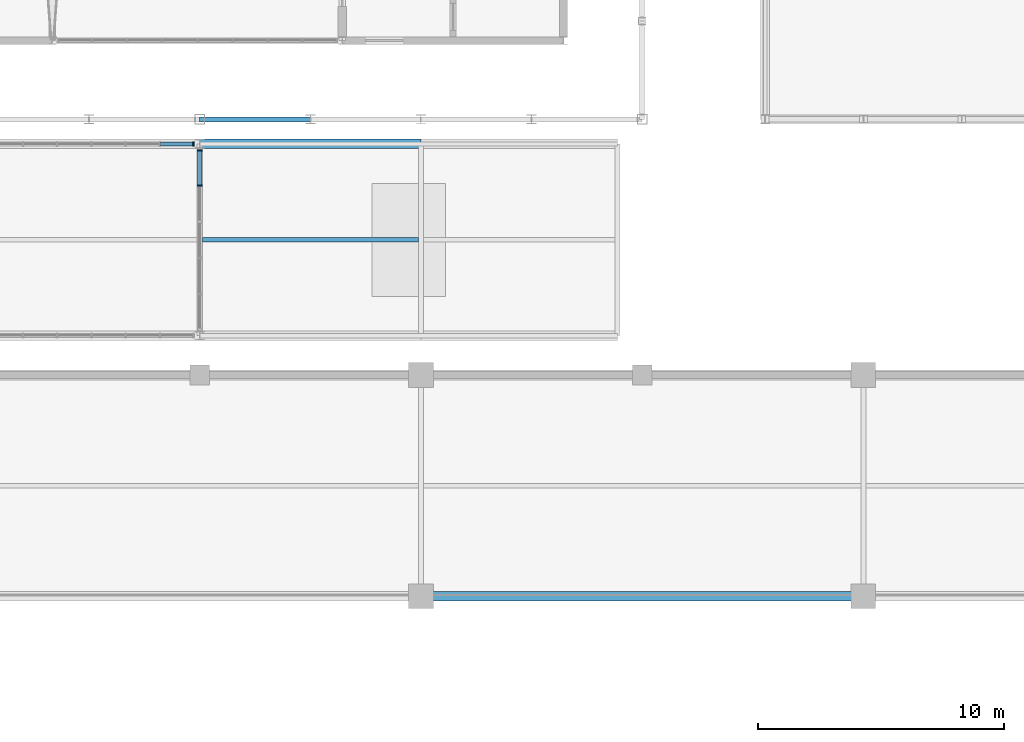
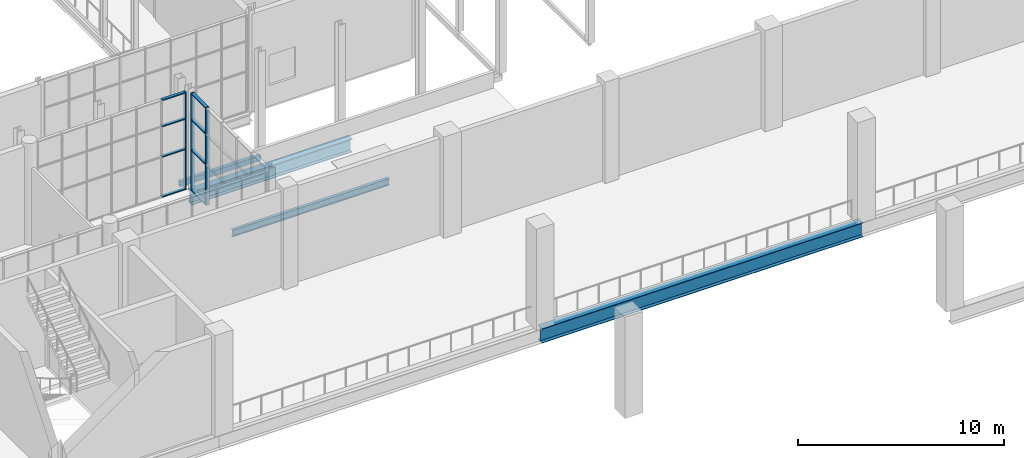
# One storey, part 68 of 159: 11 members, 4 beams, 2 elements without a shape of their own.
"""IFC4 building model written with IfcOpenShell, lengths in metres."""

from ifc_helpers import new_model, si_unit, direction, frame, origin, origin_2d, place, context, subcontext, project, spatial, rectangle, hollow_rectangle, i_section, extrude, material, layer, layer_set, material_profile, profile_set, type_object, element, aggregate, save


model = new_model("IFC4")

# Units and contexts
model_context = context("Model", 3, precision=1e-05, world=origin(), true_north=direction((0.0, 1.0)))
body_context = subcontext(model_context, "Body", "Model", "MODEL_VIEW")
ifc_project = project(units=[si_unit("LENGTHUNIT", "METRE"), si_unit("AREAUNIT", "SQUARE_METRE"), si_unit("VOLUMEUNIT", "CUBIC_METRE"), si_unit("PLANEANGLEUNIT", "RADIAN"), si_unit("MASSUNIT", "GRAM", prefix="KILO")], contexts=[model_context])

# Site, building, storey
site_placement = place(None, origin())
site = spatial("IfcSite", under=ifc_project, at=site_placement, CompositionType="ELEMENT")
building_placement = place(site_placement, origin())
building = spatial("IfcBuilding", under=site, at=building_placement, Name="Cazmaro Siding Exhibition Halls", CompositionType="ELEMENT")
storey_placement = place(building_placement, frame((0.0, 0.0, 6.0)))
storey = spatial("IfcBuildingStorey", under=building, at=storey_placement, Name="L01", CompositionType="ELEMENT", Elevation=6.0)

# Curtain wall, member
ifc_material_1 = material(Name="Anodized Bronze Aluminum and Solar-Control Low-E Glazing", Category="aluminium")
ifc_layer_1 = layer(ifc_material_1, 0.179931640625)
ifc_layer_set_1 = layer_set([ifc_layer_1], Name="Anodized Bronze Aluminum and Solar-Control Low-E Glazing")
curtain_wall_type_1 = type_object("IfcCurtainWallType", Name="CWS-01", PredefinedType="USERDEFINED", material=ifc_layer_set_1)
curtain_wall_1_placement = place(storey_placement, origin())
curtain_wall_1 = element("IfcCurtainWall", 1, at=curtain_wall_1_placement, inside=storey, type_object=curtain_wall_type_1, Name="Glazed Curtain Wall CWS-01 CW-203", ObjectType="GLAZED CURTAIN WALL", PredefinedType="USERDEFINED")
ifc_material_2 = material(Name="Anodized Bronze Extruded Aluminum", Category="aluminium")
ifc_material_profile_1 = material_profile(ifc_material_2, rectangle(XDim=0.179931640625, YDim=0.06005859375, at=origin_2d()), Name="CWM-01")
ifc_profile_set_1 = profile_set([ifc_material_profile_1], Name="Anodized Bronze Extruded Aluminum")
member_type_1 = type_object("IfcMemberType", Name="CWM-01", PredefinedType="MULLION", material=ifc_profile_set_1)
member_1_placement = place(storey_placement, frame((152.739990234375, 63.0, 0.0), z_axis=(0.0, 0.0, 1.0), x_axis=(0.0, -1.0, 0.0)))
member_1 = element("IfcMember", 2, at=member_1_placement, type_object=member_type_1, Name="CWS-01 mullion 1", PredefinedType="MULLION", context=body_context, shape_type="SweptSolid", body=[
    extrude(rectangle(XDim=0.179931640625, YDim=0.06005859375, at=origin_2d()), origin(), (0.0, 0.0, 1.0), 5.780029296875),
])

# Curtain wall, members
ifc_material_3 = material(Name="Anodized Bronze Aluminum and Solar-Control Low-E Glazing", Category="aluminium")
ifc_layer_2 = layer(ifc_material_3, 0.199951171875)
ifc_layer_set_2 = layer_set([ifc_layer_2], Name="Anodized Bronze Aluminum and Solar-Control Low-E Glazing")
curtain_wall_type_2 = type_object("IfcCurtainWallType", Name="CWS-02", PredefinedType="USERDEFINED", material=ifc_layer_set_2)
curtain_wall_2_placement = place(storey_placement, origin())
curtain_wall_2 = element("IfcCurtainWall", 3, at=curtain_wall_2_placement, inside=storey, type_object=curtain_wall_type_2, Name="Glazed Curtain Wall CWS-02 CW-208", ObjectType="GLAZED CURTAIN WALL", PredefinedType="USERDEFINED")
ifc_material_4 = material(Name="Anodized Bronze Extruded Aluminum", Category="aluminium")
ifc_material_profile_2 = material_profile(ifc_material_4, rectangle(XDim=0.199951171875, YDim=0.06494140625, at=origin_2d()), Name="CWM-02")
ifc_profile_set_2 = profile_set([ifc_material_profile_2], Name="Anodized Bronze Extruded Aluminum")
member_type_2 = type_object("IfcMemberType", Name="CWM-02", PredefinedType="MULLION", material=ifc_profile_set_2)
member_2_placement = place(storey_placement, frame((153.0, 61.3037109375, 0.0), z_axis=(0.0, 0.0, 1.0), x_axis=(-1.0, 0.0, 0.0)))
member_2 = element("IfcMember", 4, at=member_2_placement, type_object=member_type_2, Name="CWS-02 mullion 5", PredefinedType="MULLION", context=body_context, shape_type="SweptSolid", body=[
    extrude(rectangle(XDim=0.199951171875, YDim=0.06494140625, at=origin_2d()), origin(), (0.0, 0.0, 1.0), 5.780029296875),
])
member_3_placement = place(storey_placement, frame((153.0, 62.740478515625, 0.0), z_axis=(0.0, 0.0, 1.0), x_axis=(-1.0, 0.0, 0.0)))
member_3 = element("IfcMember", 5, at=member_3_placement, type_object=member_type_2, Name="CWS-02 mullion 6", PredefinedType="MULLION", context=body_context, shape_type="SweptSolid", body=[
    extrude(rectangle(XDim=0.199951171875, YDim=0.06494140625, at=origin_2d()), origin(), (0.0, 0.0, 1.0), 5.780029296875),
])

# Member
ifc_material_5 = material(Name="Anodized Bronze Extruded Aluminum", Category="aluminium")
ifc_material_profile_3 = material_profile(ifc_material_5, rectangle(XDim=0.159912109375, YDim=0.06005859375, at=origin_2d()), Name="CWT-01")
ifc_profile_set_3 = profile_set([ifc_material_profile_3], Name="Anodized Bronze Extruded Aluminum")
member_type_3 = type_object("IfcMemberType", Name="CWT-01", PredefinedType="MULLION", material=ifc_profile_set_3)
member_4_placement = place(storey_placement, frame((152.7099609375, 63.0, 0.030029296875), z_axis=(-1.0, 0.0, 0.0), x_axis=(0.0, -1.0, 0.0)))
member_4 = element("IfcMember", 6, at=member_4_placement, type_object=member_type_3, Name="CWS-01 transom 1.1", ObjectType="TRANSOM", PredefinedType="USERDEFINED", context=body_context, shape_type="SweptSolid", body=[
    extrude(rectangle(XDim=0.159912109375, YDim=0.06005859375, at=origin_2d()), origin(), (0.0, 0.0, 1.0), 1.3037109375),
])

member_5_placement = place(storey_placement, frame((152.7099609375, 63.0, 2.39990234375), z_axis=(-1.0, 0.0, 0.0), x_axis=(0.0, -1.0, 0.0)))
member_5 = element("IfcMember", 7, at=member_5_placement, type_object=member_type_3, Name="CWS-01 transom 1.2", ObjectType="TRANSOM", PredefinedType="USERDEFINED", context=body_context, shape_type="SweptSolid", body=[
    extrude(rectangle(XDim=0.159912109375, YDim=0.06005859375, at=origin_2d()), origin(), (0.0, 0.0, 1.0), 1.3037109375),
])

member_6_placement = place(storey_placement, frame((152.7099609375, 63.0, 4.199951171875), z_axis=(-1.0, 0.0, 0.0), x_axis=(0.0, -1.0, 0.0)))
member_6 = element("IfcMember", 8, at=member_6_placement, type_object=member_type_3, Name="CWS-01 transom 1.3", ObjectType="TRANSOM", PredefinedType="USERDEFINED", context=body_context, shape_type="SweptSolid", body=[
    extrude(rectangle(XDim=0.159912109375, YDim=0.06005859375, at=origin_2d()), origin(), (0.0, 0.0, 1.0), 1.3037109375),
])

member_7_placement = place(storey_placement, frame((152.7099609375, 63.0, 5.75), z_axis=(-1.0, 0.0, 0.0), x_axis=(0.0, -1.0, 0.0)))
member_7 = element("IfcMember", 9, at=member_7_placement, type_object=member_type_3, Name="CWS-01 transom 1.4", ObjectType="TRANSOM", PredefinedType="USERDEFINED", context=body_context, shape_type="SweptSolid", body=[
    extrude(rectangle(XDim=0.159912109375, YDim=0.06005859375, at=origin_2d()), origin(), (0.0, 0.0, 1.0), 1.3037109375),
])

aggregate(curtain_wall_1, [member_1, member_4, member_5, member_6, member_7])

ifc_material_6 = material(Name="Anodized Bronze Extruded Aluminum", Category="aluminium")
ifc_material_profile_4 = material_profile(ifc_material_6, rectangle(XDim=0.179931640625, YDim=0.06494140625, at=origin_2d()), Name="CWT-02")
ifc_profile_set_4 = profile_set([ifc_material_profile_4], Name="Anodized Bronze Extruded Aluminum")
member_type_4 = type_object("IfcMemberType", Name="CWT-02", PredefinedType="MULLION", material=ifc_profile_set_4)
member_8_placement = place(storey_placement, frame((153.0, 61.336181640625, 0.032470703125), z_axis=(0.0, 1.0, 0.0), x_axis=(-1.0, 0.0, 0.0)))
member_8 = element("IfcMember", 10, at=member_8_placement, type_object=member_type_4, Name="CWS-02 transom 5.1", ObjectType="TRANSOM", PredefinedType="USERDEFINED", context=body_context, shape_type="SweptSolid", body=[
    extrude(rectangle(XDim=0.179931640625, YDim=0.06494140625, at=origin_2d()), origin(), (0.0, 0.0, 1.0), 1.371826171875),
])

member_9_placement = place(storey_placement, frame((153.0, 61.336181640625, 2.39990234375), z_axis=(0.0, 1.0, 0.0), x_axis=(-1.0, 0.0, 0.0)))
member_9 = element("IfcMember", 11, at=member_9_placement, type_object=member_type_4, Name="CWS-02 transom 5.2", ObjectType="TRANSOM", PredefinedType="USERDEFINED", context=body_context, shape_type="SweptSolid", body=[
    extrude(rectangle(XDim=0.179931640625, YDim=0.06494140625, at=origin_2d()), origin(), (0.0, 0.0, 1.0), 1.371826171875),
])

member_10_placement = place(storey_placement, frame((153.0, 61.336181640625, 4.199951171875), z_axis=(0.0, 1.0, 0.0), x_axis=(-1.0, 0.0, 0.0)))
member_10 = element("IfcMember", 12, at=member_10_placement, type_object=member_type_4, Name="CWS-02 transom 5.3", ObjectType="TRANSOM", PredefinedType="USERDEFINED", context=body_context, shape_type="SweptSolid", body=[
    extrude(rectangle(XDim=0.179931640625, YDim=0.06494140625, at=origin_2d()), origin(), (0.0, 0.0, 1.0), 1.371826171875),
])

member_11_placement = place(storey_placement, frame((153.0, 61.336181640625, 5.74755859375), z_axis=(0.0, 1.0, 0.0), x_axis=(-1.0, 0.0, 0.0)))
member_11 = element("IfcMember", 13, at=member_11_placement, type_object=member_type_4, Name="CWS-02 transom 5.4", ObjectType="TRANSOM", PredefinedType="USERDEFINED", context=body_context, shape_type="SweptSolid", body=[
    extrude(rectangle(XDim=0.179931640625, YDim=0.06494140625, at=origin_2d()), origin(), (0.0, 0.0, 1.0), 1.371826171875),
])

aggregate(curtain_wall_2, [member_2, member_3, member_8, member_9, member_10, member_11])

# Beams
ifc_material_7 = material(Name="Steel ASTM A992 Grade 50", Category="steel")
ifc_material_profile_5 = material_profile(ifc_material_7, i_section(OverallWidth=0.381103515625, OverallDepth=0.779052734375, WebThickness=0.01806640625, FlangeThickness=0.030029296875, at=origin_2d()), Name="W30X191")
ifc_profile_set_5 = profile_set([ifc_material_profile_5], Name="Steel ASTM A992 Grade 50")
beam_type_1 = type_object("IfcBeamType", Name="G-04", PredefinedType="USERDEFINED", material=ifc_profile_set_5)
beam_1_placement = place(storey_placement, frame((153.0, 63.0, -0.550048828125), z_axis=(1.0, 0.0, 0.0), x_axis=(0.0, 1.0, 0.0)))
element("IfcBeam", 14, at=beam_1_placement, inside=storey, type_object=beam_type_1, Name="Beam G-04 BM-1679", ObjectType="GIRDER", PredefinedType="USERDEFINED", context=body_context, shape_type="SweptSolid", body=[
    extrude(i_section(OverallWidth=0.381103515625, OverallDepth=0.779052734375, WebThickness=0.01806640625, FlangeThickness=0.030029296875, at=origin_2d()), origin(), (0.0, 0.0, 1.0), 9.0),
])
ifc_material_8 = material(Name="Steel ASTM A992 Grade 50", Category="steel")
ifc_material_profile_6 = material_profile(ifc_material_8, i_section(OverallWidth=0.40087890625, OverallDepth=0.85595703125, WebThickness=0.01806640625, FlangeThickness=0.029052734375, at=origin_2d()), Name="W33X201")
ifc_profile_set_6 = profile_set([ifc_material_profile_6], Name="Steel ASTM A992 Grade 50")
beam_type_2 = type_object("IfcBeamType", Name="G-09", PredefinedType="USERDEFINED", material=ifc_profile_set_6)
beam_2_placement = place(storey_placement, frame((162.0, 44.60009765625, -0.677978515625), z_axis=(1.0, 0.0, 0.0), x_axis=(0.0, 1.0, 0.0)))
element("IfcBeam", 15, at=beam_2_placement, inside=storey, type_object=beam_type_2, Name="Beam G-09 BM-1262", ObjectType="GIRDER", PredefinedType="USERDEFINED", context=body_context, shape_type="SweptSolid", body=[
    extrude(i_section(OverallWidth=0.40087890625, OverallDepth=0.85595703125, WebThickness=0.01806640625, FlangeThickness=0.029052734375, at=origin_2d()), origin(), (0.0, 0.0, 1.0), 18.0),
])
ifc_material_9 = material(Name="Steel ASTM A992 Grade 50", Category="steel")
ifc_material_profile_7 = material_profile(ifc_material_9, i_section(OverallWidth=0.177978515625, OverallDepth=0.406005859375, WebThickness=0.008056640625, FlangeThickness=0.012939453125, at=origin_2d()), Name="W16X40")
ifc_profile_set_7 = profile_set([ifc_material_profile_7], Name="Steel ASTM A992 Grade 50")
beam_type_3 = type_object("IfcBeamType", Name="J-02", PredefinedType="JOIST", material=ifc_profile_set_7)
beam_3_placement = place(storey_placement, frame((153.10498046875, 59.10009765625, -0.363037109375), z_axis=(1.0, 0.0, 0.0), x_axis=(0.0, 1.0, 0.0)))
element("IfcBeam", 16, at=beam_3_placement, inside=storey, type_object=beam_type_3, Name="Beam J-02 BM-1680", PredefinedType="JOIST", context=body_context, shape_type="SweptSolid", body=[
    extrude(i_section(OverallWidth=0.177978515625, OverallDepth=0.406005859375, WebThickness=0.008056640625, FlangeThickness=0.012939453125, at=origin_2d()), origin(), (0.0, 0.0, 1.0), 8.7900390625),
])
ifc_material_10 = material(Name="Steel ASTM A500 Grade C", Category="steel")
ifc_material_profile_8 = material_profile(ifc_material_10, hollow_rectangle(XDim=0.202880859375, YDim=0.304931640625, WallThickness=0.011962890625, at=origin_2d()), Name="HSS12X8X1/2")
ifc_profile_set_8 = profile_set([ifc_material_profile_8], Name="Steel ASTM A500 Grade C")
beam_type_4 = type_object("IfcBeamType", Name="SP-01", PredefinedType="SPANDREL", material=ifc_profile_set_8)
beam_4_placement = place(storey_placement, frame((153.0, 64.0, -0.3720703125), z_axis=(1.0, 0.0, 0.0), x_axis=(0.0, 1.0, 0.0)))
element("IfcBeam", 17, at=beam_4_placement, inside=storey, type_object=beam_type_4, Name="Beam SP-01 BM-0205", PredefinedType="SPANDREL", context=body_context, shape_type="SweptSolid", body=[
    extrude(hollow_rectangle(XDim=0.202880859375, YDim=0.304931640625, WallThickness=0.011962890625, at=origin_2d()), origin(), (0.0, 0.0, 1.0), 4.5),
])

save(model, "model.ifc")
